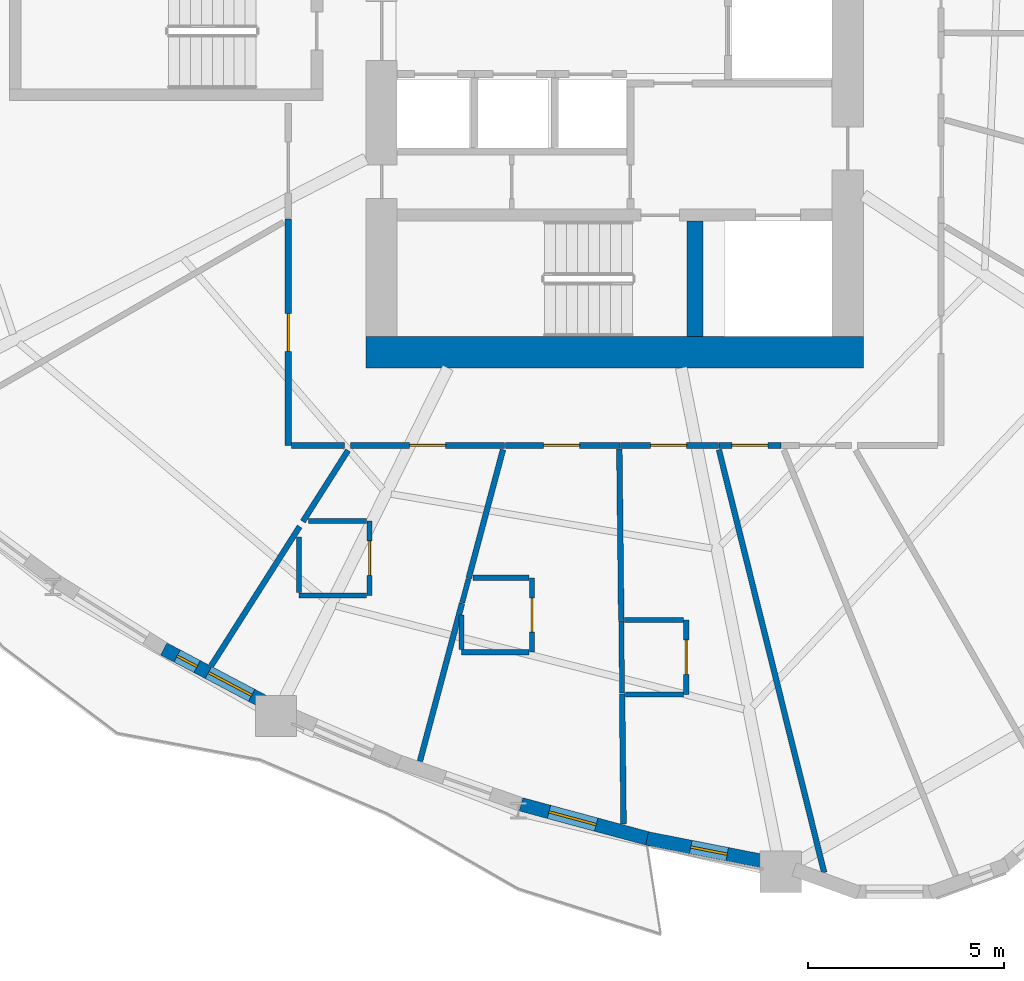
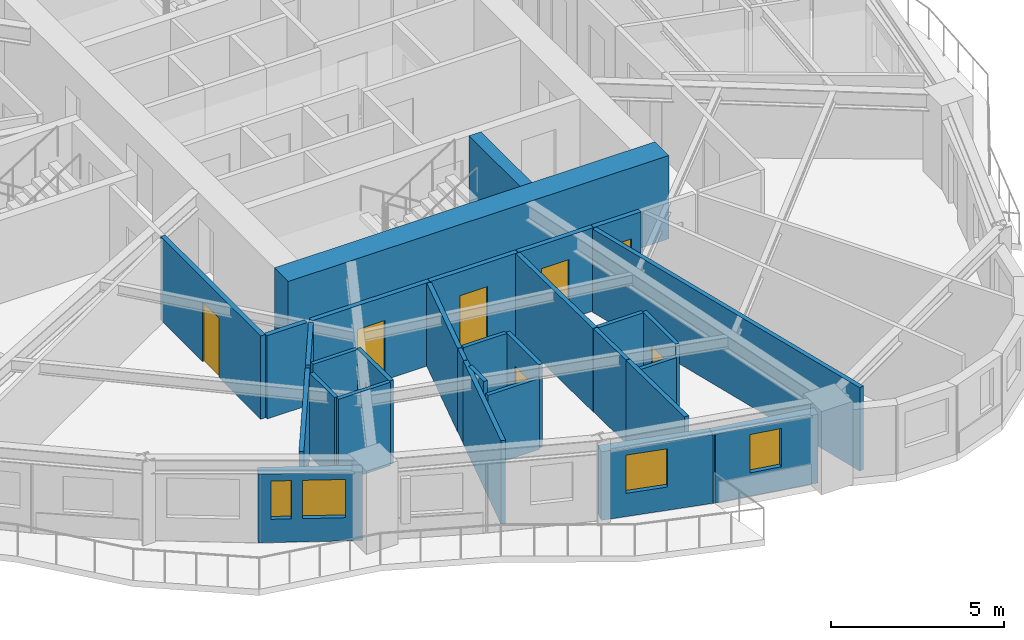
# One storey, part 3 of 13: 31 walls, 8 doors, 4 windows, 12 openings.
"""IFC4 building model written with IfcOpenShell, lengths in metres."""

import ifcopenshell
import ifcopenshell.guid

model = None  # the IFC model being written
_history = None  # IfcOwnerHistory: only IFC2X3 demands one
_inside = {}  # id of a spatial element -> (the spatial element, [elements in it])
_under = {}  # id of a project, library or spatial element -> (it, [spatial elements below it])
_declared = {}  # id of a project -> (the project, [libraries it declares])
_typed = {}  # id of a type object -> (the type object, [elements of that type])
_made_of = {}  # id of a material, layer set ... -> (it, [elements and type objects made of it])


def new_model(schema):
    """Start an empty IFC model of exactly this schema.

    Asked for "IFC4X3", IfcOpenShell would pick the latest addendum, in which some entities
    have other attributes; the version numbers below select the first issue.
    IFC2X3 requires an IfcOwnerHistory on every rooted entity: one is made here for all.
    """
    global model, _history
    if schema == "IFC4X3":
        model = ifcopenshell.file(schema_version=(4, 3, 0, 0))
    else:
        model = ifcopenshell.file(schema=schema)
    _inside.clear()
    _under.clear()
    _declared.clear()
    _typed.clear()
    _made_of.clear()
    _history = None
    if model.schema == "IFC2X3":
        org = make("IfcOrganization", Name="unknown")
        user = make(
            "IfcPersonAndOrganization",
            ThePerson=make("IfcPerson", FamilyName="unknown"),
            TheOrganization=org,
        )
        app = make(
            "IfcApplication",
            ApplicationDeveloper=org,
            Version="unknown",
            ApplicationFullName="unknown",
            ApplicationIdentifier="unknown",
        )
        _history = make(
            "IfcOwnerHistory",
            OwningUser=user,
            OwningApplication=app,
            ChangeAction="ADDED",
            CreationDate=0,
        )
    return model


def make(cls, **values):
    """One entity of the class cls with the attributes given. An attribute that is None is left unset."""
    return model.create_entity(
        cls, **{name: value for name, value in values.items() if value is not None}
    )


def rooted(cls, **values):
    """An entity with a GlobalId (a new one), such as an element, a storey or a relation."""
    return make(cls, GlobalId=ifcopenshell.guid.new(), OwnerHistory=_history, **values)


def si_unit(unit_type, name, prefix=None):
    """IfcSIUnit, for example si_unit("LENGTHUNIT", "METRE", prefix="MILLI")."""
    return make("IfcSIUnit", UnitType=unit_type, Prefix=prefix, Name=name)


def assignment(units):
    """IfcUnitAssignment: the units of a project."""
    return None if units is None else make("IfcUnitAssignment", Units=units)


def point(xyz):
    """IfcCartesianPoint."""
    return None if xyz is None else make("IfcCartesianPoint", Coordinates=xyz)


def direction(xyz):
    """IfcDirection."""
    return None if xyz is None else make("IfcDirection", DirectionRatios=xyz)


def frame(location, z_axis=None, x_axis=None):
    """IfcAxis2Placement3D, a coordinate frame: its origin and axes. An axis left out is left unset."""
    return make(
        "IfcAxis2Placement3D",
        Location=point(location),
        Axis=direction(z_axis),
        RefDirection=direction(x_axis),
    )


def frame_2d(location, x_axis=None):
    """IfcAxis2Placement2D, a coordinate frame in the plane: its origin and x axis."""
    return make(
        "IfcAxis2Placement2D", Location=point(location), RefDirection=direction(x_axis)
    )


def origin():
    """The frame at (0, 0, 0) with its axes left unset."""
    return frame((0.0, 0.0, 0.0))


def place(relative_to, where):
    """IfcLocalPlacement: puts the frame where relative to a parent placement (None: the world)."""
    return make(
        "IfcLocalPlacement", PlacementRelTo=relative_to, RelativePlacement=where
    )


def context(
    kind, dimensions, precision=None, world=None, true_north=None, identifier=None
):
    """IfcGeometricRepresentationContext, for example the 3D "Model" context."""
    return make(
        "IfcGeometricRepresentationContext",
        ContextIdentifier=identifier,
        ContextType=kind,
        CoordinateSpaceDimension=dimensions,
        Precision=precision,
        WorldCoordinateSystem=world,
        TrueNorth=true_north,
    )


def subcontext(parent, identifier, kind, view, scale=None):
    """IfcGeometricRepresentationSubContext, for example "Body" below "Model"."""
    return make(
        "IfcGeometricRepresentationSubContext",
        ContextIdentifier=identifier,
        ContextType=kind,
        ParentContext=parent,
        TargetScale=scale,
        TargetView=view,
    )


def project(units=None, contexts=None):
    """IfcProject with its units and contexts."""
    return rooted(
        "IfcProject",
        Name="project",
        RepresentationContexts=contexts,
        UnitsInContext=assignment(units),
    )


def spatial(cls, under=None, at=None, **own):
    """A site, building, storey or space (cls), placed at a placement, below another one or the project."""
    s = rooted(cls, ObjectPlacement=at, **own)
    if under is not None:
        _under.setdefault(under.id(), (under, []))[1].append(s)
    return s


def profile(cls, at=None, kind="AREA", **sizes):
    """A parametric profile (cls). Its sizes go by their IFC names, for example OverallWidth=200.0."""
    return make(cls, ProfileType=kind, Position=at, **sizes)


def rectangle(**sizes):
    """IfcRectangleProfileDef."""
    return profile("IfcRectangleProfileDef", **sizes)


def extrude(swept, where, along, depth):
    """IfcExtrudedAreaSolid: the profile swept, set in the frame where, extruded along a direction by depth."""
    return make(
        "IfcExtrudedAreaSolid",
        SweptArea=swept,
        Position=where,
        ExtrudedDirection=direction(along),
        Depth=depth,
    )


def shape(context_of_items, identifier, shape_type, items):
    """IfcShapeRepresentation: the items that make up one representation, for example the "Body"."""
    return make(
        "IfcShapeRepresentation",
        ContextOfItems=context_of_items,
        RepresentationIdentifier=identifier,
        RepresentationType=shape_type,
        Items=items,
    )


def source(mapping_origin, context_of_items, identifier, shape_type, items):
    """IfcRepresentationMap: a shape defined once, which mapped items show again and again."""
    return make(
        "IfcRepresentationMap",
        MappingOrigin=mapping_origin,
        MappedRepresentation=shape(context_of_items, identifier, shape_type, items),
    )


def transform(
    local_origin,
    x_axis=None,
    y_axis=None,
    z_axis=None,
    scale=None,
    scale2=None,
    scale3=None,
    uniform=True,
):
    """IfcCartesianTransformationOperator3D, or its non-uniform kind. x_axis, y_axis, z_axis: its Axis1, 2, 3."""
    if uniform:
        return make(
            "IfcCartesianTransformationOperator3D",
            Axis1=direction(x_axis),
            Axis2=direction(y_axis),
            LocalOrigin=point(local_origin),
            Scale=scale,
            Axis3=direction(z_axis),
        )
    return make(
        "IfcCartesianTransformationOperator3DnonUniform",
        Axis1=direction(x_axis),
        Axis2=direction(y_axis),
        LocalOrigin=point(local_origin),
        Scale=scale,
        Axis3=direction(z_axis),
        Scale2=scale2,
        Scale3=scale3,
    )


def mapped(mapping_source, mapping_target):
    """IfcMappedItem: shows the shape of a source again, moved by a transform."""
    return make(
        "IfcMappedItem", MappingSource=mapping_source, MappingTarget=mapping_target
    )


def material(Name=None, Category=None):
    """IfcMaterial."""
    return make("IfcMaterial", Name=Name, Category=Category)


def layer(
    of_material, thickness, ventilated=None, Name=None, Category=None, Priority=None
):
    """IfcMaterialLayer: one layer of a wall or slab, of a material (None: an air gap)."""
    return make(
        "IfcMaterialLayer",
        Material=of_material,
        LayerThickness=thickness,
        IsVentilated=ventilated,
        Name=Name,
        Category=Category,
        Priority=Priority,
    )


def layer_set(layers, Name=None):
    """IfcMaterialLayerSet."""
    return make("IfcMaterialLayerSet", MaterialLayers=layers, LayerSetName=Name)


def made_of(thing, what):
    """Note that an element or type object is made of a material, layer set ...; save() writes the relation."""
    if what is not None:
        _made_of.setdefault(what.id(), (what, []))[1].append(thing)
    return thing


def type_object(cls, material=None, **own):
    """A type object (cls), such as IfcWallType, which elements share."""
    return made_of(rooted(cls, **own), material)


def element(
    cls,
    number,
    at=None,
    inside=None,
    cuts=None,
    type_object=None,
    material=None,
    context=None,
    identifier="Body",
    shape_type=None,
    held_by="IfcProductDefinitionShape",
    body=None,
    shapes=None,
    **own,
):
    """One element of the class cls, such as IfcWall. Its Tag is "e" and its number.

    at: its placement. inside: the storey or other place that contains it. cuts: it is an
    opening in that element (IfcRelVoidsElement). A single representation is given by context,
    identifier, shape_type and body (its items); several are given by shapes. held_by: the class
    of the entity that holds the representations. save() writes the other relations.
    """
    e = rooted(cls, Tag="e%d" % number, ObjectPlacement=at, **own)
    if body is not None:
        shapes = [shape(context, identifier, shape_type, body)]
    if shapes is not None:
        e.Representation = make(held_by, Representations=shapes)
    if inside is not None:
        _inside.setdefault(inside.id(), (inside, []))[1].append(e)
    if cuts is not None:
        rooted(
            "IfcRelVoidsElement", RelatingBuildingElement=cuts, RelatedOpeningElement=e
        )
    if type_object is not None:
        _typed.setdefault(type_object.id(), (type_object, []))[1].append(e)
    return made_of(e, material)


def fill(opening, filler):
    """IfcRelFillsElement: the door or window that sits in an opening."""
    return rooted(
        "IfcRelFillsElement",
        RelatingOpeningElement=opening,
        RelatedBuildingElement=filler,
    )


def aggregate(whole, parts):
    """IfcRelAggregates: a whole, such as a stair, and the parts it consists of."""
    return rooted("IfcRelAggregates", RelatingObject=whole, RelatedObjects=parts)


def save(model, path):
    """Write the relations noted so far, then the file.

    IfcRelAggregates (storeys below a building ...), IfcRelContainedInSpatialStructure (elements
    in a storey), IfcRelDefinesByType, IfcRelAssociatesMaterial and IfcRelDeclares: one each for
    every whole, place, type object, material and project.
    """
    for whole, parts in _under.values():
        aggregate(whole, parts)
    for where, things in _inside.values():
        rooted(
            "IfcRelContainedInSpatialStructure",
            RelatedElements=things,
            RelatingStructure=where,
        )
    for kind, things in _typed.values():
        rooted("IfcRelDefinesByType", RelatedObjects=things, RelatingType=kind)
    for what, things in _made_of.values():
        rooted("IfcRelAssociatesMaterial", RelatedObjects=things, RelatingMaterial=what)
    for by, libraries in _declared.values():
        rooted("IfcRelDeclares", RelatingContext=by, RelatedDefinitions=libraries)
    model.write(path)


model = new_model("IFC4")

# Units and contexts
model_context = context("Model", 3, precision=1e-05, world=origin(), true_north=direction((0.0, 1.0)))
body_context = subcontext(model_context, "Body", "Model", "MODEL_VIEW")
ifc_project = project(units=[si_unit("LENGTHUNIT", "METRE"), si_unit("AREAUNIT", "SQUARE_METRE"), si_unit("VOLUMEUNIT", "CUBIC_METRE"), si_unit("PLANEANGLEUNIT", "RADIAN"), si_unit("MASSUNIT", "GRAM", prefix="KILO")], contexts=[model_context])

# Site, building, storey
site_placement = place(None, origin())
site = spatial("IfcSite", under=ifc_project, at=site_placement, CompositionType="ELEMENT")
building_placement = place(site_placement, origin())
building = spatial("IfcBuilding", under=site, at=building_placement, Name="Qafzar Sky-Pleat Residences", CompositionType="ELEMENT")
storey_placement = place(building_placement, frame((0.0, 0.0, 49.39990234375)))
storey = spatial("IfcBuildingStorey", under=building, at=storey_placement, Name="L14", CompositionType="ELEMENT", Elevation=49.39990234375)

# Wall, opening, door
ifc_material_1 = material(Name="Acoustic gypsum plasterboard partition", Category="gypsum")
ifc_layer_1 = layer(ifc_material_1, 0.159912109375)
ifc_layer_set_1 = layer_set([ifc_layer_1], Name="Acoustic gypsum plasterboard partition")
wall_type_1 = type_object("IfcWallType", Name="PART-COR-160", PredefinedType="PARTITIONING", material=ifc_layer_set_1)
wall_1_placement = place(storey_placement, frame((22.02001953125, 15.419921875, 0.0), z_axis=(0.0, 0.0, 1.0), x_axis=(0.0, 1.0, 0.0)))
wall_1 = element("IfcWall", 1, at=wall_1_placement, inside=storey, type_object=wall_type_1, Name="L14 Partition Wall PART-L14-PW-002", PredefinedType="PARTITIONING", context=body_context, shape_type="SweptSolid", body=[
    extrude(rectangle(XDim=5.7861328125, YDim=0.159912109375, at=frame_2d((2.89306640625, 0.0))), origin(), (0.0, 0.0, 1.0), 2.940185546875),
])
opening_1_placement = place(wall_1_placement, frame((2.404541015625, 0.0, 0.0)))
opening_1 = element("IfcOpeningElement", 2, at=opening_1_placement, cuts=wall_1, Name="Opening ID-06", PredefinedType="OPENING", context=body_context, shape_type="SweptSolid", body=[
    extrude(rectangle(XDim=0.9599609375, YDim=2.10009765625, at=frame_2d((0.47998046875, 1.050048828125))), frame((0.0, 0.08984375, 0.0), z_axis=(0.0, -1.0, 0.0), x_axis=(1.0, 0.0, 0.0)), (0.0, 0.0, 1.0), 0.179931640625),
])
ifc_material_2 = material(Name="Timber-faced fire door", Category="wood")
door_type_1 = type_object("IfcDoorType", Name="DR-STD-960", OperationType="NOTDEFINED", PredefinedType="DOOR", material=ifc_material_2)
shared_shape_1 = source(origin(), body_context, "Body", "SweptSolid", [
    extrude(rectangle(XDim=0.9599609375, YDim=2.10009765625, at=frame_2d((0.47998046875, 1.050048828125))), frame((0.0, 0.02490234375, 0.0), z_axis=(0.0, -1.0, 0.0), x_axis=(1.0, 0.0, 0.0)), (0.0, 0.0, 1.0), 0.050048828125),
])
door_1_placement = place(opening_1_placement, origin())
door_1 = element("IfcDoor", 3, at=door_1_placement, inside=storey, type_object=door_type_1, Name="L14 Scholar Co-Working Workspace Door", OperationType="SINGLE_SWING_LEFT", OverallHeight=2.10009765625, OverallWidth=0.9599609375, PredefinedType="DOOR", context=body_context, shape_type="MappedRepresentation", body=[
    mapped(shared_shape_1, transform((0.0, 0.0, 0.0), x_axis=(1.0, 0.0, 0.0), y_axis=(0.0, 1.0, 0.0), z_axis=(0.0, 0.0, 1.0), scale=1.0)),
])
fill(opening_1, door_1)

wall_2_placement = place(storey_placement, frame((27.5439453125, 15.419921875, 0.0), z_axis=(0.0, 0.0, 1.0), x_axis=(-1.0, 0.0, 0.0)))
wall_2 = element("IfcWall", 4, at=wall_2_placement, inside=storey, type_object=wall_type_1, Name="L14 Partition Wall PART-L14-PW-006", PredefinedType="PARTITIONING", context=body_context, shape_type="SweptSolid", body=[
    extrude(rectangle(XDim=3.93603515625, YDim=0.159912109375, at=frame_2d((1.968017578125, 0.0))), origin(), (0.0, 0.0, 1.0), 2.940185546875),
])
opening_2_placement = place(wall_2_placement, frame((1.507080078125, 0.0, 0.0)))
opening_2 = element("IfcOpeningElement", 5, at=opening_2_placement, cuts=wall_2, Name="Opening ID-04", PredefinedType="OPENING", context=body_context, shape_type="SweptSolid", body=[
    extrude(rectangle(XDim=0.919921875, YDim=2.10009765625, at=frame_2d((0.4599609375, 1.050048828125))), frame((0.0, 0.08984375, 0.0), z_axis=(0.0, -1.0, 0.0), x_axis=(1.0, 0.0, 0.0)), (0.0, 0.0, 1.0), 0.179931640625),
])
door_type_2 = type_object("IfcDoorType", Name="DR-BED-920", OperationType="NOTDEFINED", PredefinedType="DOOR", material=ifc_material_2)
shared_shape_2 = source(origin(), body_context, "Body", "SweptSolid", [
    extrude(rectangle(XDim=0.919921875, YDim=2.10009765625, at=frame_2d((0.4599609375, 1.050048828125))), frame((0.0, 0.02490234375, 0.0), z_axis=(0.0, -1.0, 0.0), x_axis=(1.0, 0.0, 0.0)), (0.0, 0.0, 1.0), 0.050048828125),
])
door_2_placement = place(opening_2_placement, origin())
door_2 = element("IfcDoor", 6, at=door_2_placement, inside=storey, type_object=door_type_2, Name="L14 Co-Living Bedroom 10 Door", OperationType="SINGLE_SWING_RIGHT", OverallHeight=2.10009765625, OverallWidth=0.919921875, PredefinedType="DOOR", context=body_context, shape_type="MappedRepresentation", body=[
    mapped(shared_shape_2, transform((0.0, 0.0, 0.0), x_axis=(1.0, 0.0, 0.0), y_axis=(0.0, 1.0, 0.0), z_axis=(0.0, 0.0, 1.0), scale=1.0)),
])
fill(opening_2, door_2)

wall_3_placement = place(storey_placement, frame((30.48388671875, 15.419921875, 0.0), z_axis=(0.0, 0.0, 1.0), x_axis=(-1.0, 0.0, 0.0)))
wall_3 = element("IfcWall", 7, at=wall_3_placement, inside=storey, type_object=wall_type_1, Name="L14 Partition Wall PART-L14-PW-010", PredefinedType="PARTITIONING", context=body_context, shape_type="SweptSolid", body=[
    extrude(rectangle(XDim=2.9248046875, YDim=0.159912109375, at=frame_2d((1.46240234375, 0.0))), origin(), (0.0, 0.0, 1.0), 2.940185546875),
])
opening_3_placement = place(wall_3_placement, frame((1.02490234375, 0.0, 0.0)))
opening_3 = element("IfcOpeningElement", 8, at=opening_3_placement, cuts=wall_3, Name="Opening ID-04", PredefinedType="OPENING", context=body_context, shape_type="SweptSolid", body=[
    extrude(rectangle(XDim=0.919921875, YDim=2.10009765625, at=frame_2d((0.4599609375, 1.050048828125))), frame((0.0, 0.08984375, 0.0), z_axis=(0.0, -1.0, 0.0), x_axis=(1.0, 0.0, 0.0)), (0.0, 0.0, 1.0), 0.179931640625),
])
door_3_placement = place(opening_3_placement, origin())
door_3 = element("IfcDoor", 9, at=door_3_placement, inside=storey, type_object=door_type_2, Name="L14 Co-Living Bedroom 11 Door", OperationType="SINGLE_SWING_LEFT", OverallHeight=2.10009765625, OverallWidth=0.919921875, PredefinedType="DOOR", context=body_context, shape_type="MappedRepresentation", body=[
    mapped(shared_shape_2, transform((0.0, 0.0, 0.0), x_axis=(1.0, 0.0, 0.0), y_axis=(0.0, 1.0, 0.0), z_axis=(0.0, 0.0, 1.0), scale=1.0)),
])
fill(opening_3, door_3)

wall_4_placement = place(storey_placement, frame((33.0, 15.419921875, 0.0), z_axis=(0.0, 0.0, 1.0), x_axis=(-1.0, 0.0, 0.0)))
wall_4 = element("IfcWall", 10, at=wall_4_placement, inside=storey, type_object=wall_type_1, Name="L14 Partition Wall PART-L14-PW-012", PredefinedType="PARTITIONING", context=body_context, shape_type="SweptSolid", body=[
    extrude(rectangle(XDim=2.5009765625, YDim=0.159912109375, at=frame_2d((1.25048828125, 0.0))), origin(), (0.0, 0.0, 1.0), 2.940185546875),
])
opening_4_placement = place(wall_4_placement, frame((0.81298828125, 0.0, 0.0)))
opening_4 = element("IfcOpeningElement", 11, at=opening_4_placement, cuts=wall_4, Name="Opening ID-04", PredefinedType="OPENING", context=body_context, shape_type="SweptSolid", body=[
    extrude(rectangle(XDim=0.919921875, YDim=2.10009765625, at=frame_2d((0.4599609375, 1.050048828125))), frame((0.0, 0.08984375, 0.0), z_axis=(0.0, -1.0, 0.0), x_axis=(1.0, 0.0, 0.0)), (0.0, 0.0, 1.0), 0.179931640625),
])
door_4_placement = place(opening_4_placement, origin())
door_4 = element("IfcDoor", 12, at=door_4_placement, inside=storey, type_object=door_type_2, Name="L14 Co-Living Bedroom 12 Door", OperationType="SINGLE_SWING_RIGHT", OverallHeight=2.10009765625, OverallWidth=0.919921875, PredefinedType="DOOR", context=body_context, shape_type="MappedRepresentation", body=[
    mapped(shared_shape_2, transform((0.0, 0.0, 0.0), x_axis=(1.0, 0.0, 0.0), y_axis=(0.0, 1.0, 0.0), z_axis=(0.0, 0.0, 1.0), scale=1.0)),
])
fill(opening_4, door_4)

wall_5_placement = place(storey_placement, frame((34.591064453125, 15.419921875, 0.0), z_axis=(0.0, 0.0, 1.0), x_axis=(-1.0, 0.0, 0.0)))
wall_5 = element("IfcWall", 13, at=wall_5_placement, inside=storey, type_object=wall_type_1, Name="L14 Partition Wall PART-L14-PW-027", PredefinedType="PARTITIONING", context=body_context, shape_type="SweptSolid", body=[
    extrude(rectangle(XDim=1.576171875, YDim=0.159912109375, at=frame_2d((0.7880859375, 0.0))), origin(), (0.0, 0.0, 1.0), 2.940185546875),
])
opening_5_placement = place(wall_5_placement, frame((0.326904296875, 0.0, 0.0)))
opening_5 = element("IfcOpeningElement", 14, at=opening_5_placement, cuts=wall_5, Name="Opening ID-04", PredefinedType="OPENING", context=body_context, shape_type="SweptSolid", body=[
    extrude(rectangle(XDim=0.919921875, YDim=2.10009765625, at=frame_2d((0.4599609375, 1.050048828125))), frame((0.0, 0.08984375, 0.0), z_axis=(0.0, -1.0, 0.0), x_axis=(1.0, 0.0, 0.0)), (0.0, 0.0, 1.0), 0.179931640625),
])
door_5_placement = place(opening_5_placement, origin())
door_5 = element("IfcDoor", 15, at=door_5_placement, inside=storey, type_object=door_type_2, Name="L14 Co-Living Bedroom 1 Door", OperationType="SINGLE_SWING_LEFT", OverallHeight=2.10009765625, OverallWidth=0.919921875, PredefinedType="DOOR", context=body_context, shape_type="MappedRepresentation", body=[
    mapped(shared_shape_2, transform((0.0, 0.0, 0.0), x_axis=(1.0, 0.0, 0.0), y_axis=(0.0, 1.0, 0.0), z_axis=(0.0, 0.0, 1.0), scale=1.0)),
])
fill(opening_5, door_5)

# Walls
wall_6_placement = place(storey_placement, frame((22.10791015625, 15.419921875, 0.0), z_axis=(0.0, 0.0, 1.0), x_axis=(1.0, 0.0, 0.0)))
element("IfcWall", 16, at=wall_6_placement, inside=storey, type_object=wall_type_1, Name="L14 Partition Wall PART-L14-PW-076", PredefinedType="PARTITIONING", context=body_context, shape_type="SweptSolid", body=[
    extrude(rectangle(XDim=1.34033203125, YDim=0.159912109375, at=frame_2d((0.670166015625, 0.0))), origin(), (0.0, 0.0, 1.0), 2.940185546875),
])
ifc_layer_2 = layer(ifc_material_1, 0.14501953125)
ifc_layer_set_2 = layer_set([ifc_layer_2], Name="Acoustic gypsum plasterboard partition")
wall_type_2 = type_object("IfcWallType", Name="PART-UNIT-145", PredefinedType="PARTITIONING", material=ifc_layer_set_2)
wall_7_placement = place(storey_placement, frame((33.01123046875, 15.314697265625, 0.0), z_axis=(0.0, 0.0, 1.0), x_axis=(0.241616400535, -0.970371843673, 0.0)))
element("IfcWall", 17, at=wall_7_placement, inside=storey, type_object=wall_type_2, Name="L14 Partition Wall PART-L14-PW-035", PredefinedType="PARTITIONING", context=body_context, shape_type="SweptSolid", body=[
    extrude(rectangle(XDim=11.125, YDim=0.14501953125, at=frame_2d((5.5625, 0.0))), origin(), (0.0, 0.0, 1.0), 2.940185546875),
])
wall_8_placement = place(storey_placement, frame((30.469970703125, 15.331298828125, 0.0), z_axis=(0.0, 0.0, 1.0), x_axis=(0.011204559183, -0.999937226957, 0.0)))
element("IfcWall", 18, at=wall_8_placement, inside=storey, type_object=wall_type_2, Name="L14 Partition Wall PART-L14-PW-044", PredefinedType="PARTITIONING", context=body_context, shape_type="SweptSolid", body=[
    extrude(rectangle(XDim=4.379638671875, YDim=0.14501953125, at=frame_2d((2.18994140625, 0.0))), origin(), (0.0, 0.0, 1.0), 2.940185546875),
])
wall_9_placement = place(storey_placement, frame((20.0537109375, 9.800048828125, 0.0), z_axis=(0.0, 0.0, 1.0), x_axis=(0.536345686693, 0.843998403059, 0.0)))
element("IfcWall", 19, at=wall_9_placement, inside=storey, type_object=wall_type_2, Name="L14 Partition Wall PART-L14-PW-045", PredefinedType="PARTITIONING", context=body_context, shape_type="SweptSolid", body=[
    extrude(rectangle(XDim=4.205078125, YDim=0.14501953125, at=frame_2d((2.1025390625, 0.0))), origin(), (0.0, 0.0, 1.0), 2.940185546875),
])
wall_10_placement = place(storey_placement, frame((25.3798828125, 7.359619140625, 0.0), z_axis=(0.0, 0.0, 1.0), x_axis=(0.257575283531, 0.966258233245, 0.0)))
element("IfcWall", 20, at=wall_10_placement, inside=storey, type_object=wall_type_2, Name="L14 Partition Wall PART-L14-PW-046", PredefinedType="PARTITIONING", context=body_context, shape_type="SweptSolid", body=[
    extrude(rectangle(XDim=4.17431640625, YDim=0.14501953125, at=frame_2d((2.087158203125, 0.0))), origin(), (0.0, 0.0, 1.0), 2.940185546875),
])
wall_11_placement = place(storey_placement, frame((26.6240234375, 12.028076171875, 0.0), z_axis=(0.0, 0.0, 1.0), x_axis=(0.257743083598, 0.966213487205, 0.0)))
element("IfcWall", 21, at=wall_11_placement, inside=storey, type_object=wall_type_2, Name="L14 Partition Wall PART-L14-PW-049", PredefinedType="PARTITIONING", context=body_context, shape_type="SweptSolid", body=[
    extrude(rectangle(XDim=3.400634765625, YDim=0.14501953125, at=frame_2d((1.7001953125, 0.0))), origin(), (0.0, 0.0, 1.0), 2.940185546875),
])
wall_12_placement = place(storey_placement, frame((30.5400390625, 9.08203125, 0.0), z_axis=(0.0, 0.0, 1.0), x_axis=(0.011329467055, -0.999935819529, 0.0)))
element("IfcWall", 22, at=wall_12_placement, inside=storey, type_object=wall_type_2, Name="L14 Partition Wall PART-L14-PW-052", PredefinedType="PARTITIONING", context=body_context, shape_type="SweptSolid", body=[
    extrude(rectangle(XDim=3.318603515625, YDim=0.14501953125, at=frame_2d((1.6591796875, 0.0))), origin(), (0.0, 0.0, 1.0), 2.940185546875),
])
wall_13_placement = place(storey_placement, frame((22.39208984375, 13.47900390625, 0.0), z_axis=(0.0, 0.0, 1.0), x_axis=(0.53614810629, 0.844123929362, 0.0)))
element("IfcWall", 23, at=wall_13_placement, inside=storey, type_object=wall_type_2, Name="L14 Partition Wall PART-L14-PW-055", PredefinedType="PARTITIONING", context=body_context, shape_type="SweptSolid", body=[
    extrude(rectangle(XDim=2.150634765625, YDim=0.14501953125, at=frame_2d((1.0751953125, 0.0))), origin(), (0.0, 0.0, 1.0), 2.940185546875),
])

# Wall, opening, door
ifc_material_3 = material(Name="Moisture-resistant gypsum partition", Category="gypsum")
ifc_layer_3 = layer(ifc_material_3, 0.1298828125)
ifc_layer_set_3 = layer_set([ifc_layer_3], Name="Moisture-resistant gypsum partition")
wall_type_3 = type_object("IfcWallType", Name="PART-WET-130", PredefinedType="PARTITIONING", material=ifc_layer_set_3)
wall_14_placement = place(storey_placement, frame((24.093994140625, 11.593994140625, 0.0), z_axis=(0.0, 0.0, 1.0), x_axis=(0.0, 1.0, 0.0)))
wall_14 = element("IfcWall", 24, at=wall_14_placement, inside=storey, type_object=wall_type_3, Name="L14 Partition Wall PART-L14-PW-016", PredefinedType="PARTITIONING", context=body_context, shape_type="SweptSolid", body=[
    extrude(rectangle(XDim=1.89990234375, YDim=0.1298828125, at=frame_2d((0.949951171875, 0.0))), origin(), (0.0, 0.0, 1.0), 2.940185546875),
])
opening_6_placement = place(wall_14_placement, frame((0.510009765625, 0.0, 0.0)))
opening_6 = element("IfcOpeningElement", 25, at=opening_6_placement, cuts=wall_14, Name="Opening ID-07", PredefinedType="OPENING", context=body_context, shape_type="SweptSolid", body=[
    extrude(rectangle(XDim=0.8798828125, YDim=2.050048828125, at=frame_2d((0.43994140625, 1.02490234375))), frame((0.0, 0.074951171875, 0.0), z_axis=(0.0, -1.0, 0.0), x_axis=(1.0, 0.0, 0.0)), (0.0, 0.0, 1.0), 0.14990234375),
])
door_type_3 = type_object("IfcDoorType", Name="DR-WET-880", OperationType="NOTDEFINED", PredefinedType="DOOR", material=ifc_material_2)
shared_shape_3 = source(origin(), body_context, "Body", "SweptSolid", [
    extrude(rectangle(XDim=0.8798828125, YDim=2.050048828125, at=frame_2d((0.43994140625, 1.02490234375))), frame((0.0, 0.02490234375, 0.0), z_axis=(0.0, -1.0, 0.0), x_axis=(1.0, 0.0, 0.0)), (0.0, 0.0, 1.0), 0.050048828125),
])
door_6_placement = place(opening_6_placement, origin())
door_6 = element("IfcDoor", 26, at=door_6_placement, inside=storey, type_object=door_type_3, Name="L14 En-suite Bathroom 10 Door", OperationType="SINGLE_SWING_RIGHT", OverallHeight=2.050048828125, OverallWidth=0.8798828125, PredefinedType="DOOR", context=body_context, shape_type="MappedRepresentation", body=[
    mapped(shared_shape_3, transform((0.0, 0.0, 0.0), x_axis=(1.0, 0.0, 0.0), y_axis=(0.0, 1.0, 0.0), z_axis=(0.0, 0.0, 1.0), scale=1.0)),
])
fill(opening_6, door_6)

wall_15_placement = place(storey_placement, frame((32.177001953125, 9.06689453125, 0.0), z_axis=(0.0, 0.0, 1.0), x_axis=(0.0, 1.0, 0.0)))
wall_15 = element("IfcWall", 27, at=wall_15_placement, inside=storey, type_object=wall_type_3, Name="L14 Partition Wall PART-L14-PW-017", PredefinedType="PARTITIONING", context=body_context, shape_type="SweptSolid", body=[
    extrude(rectangle(XDim=1.900146484375, YDim=0.1298828125, at=frame_2d((0.9501953125, 0.0))), origin(), (0.0, 0.0, 1.0), 2.940185546875),
])
opening_7_placement = place(wall_15_placement, frame((0.510009765625, 0.0, 0.0)))
opening_7 = element("IfcOpeningElement", 28, at=opening_7_placement, cuts=wall_15, Name="Opening ID-07", PredefinedType="OPENING", context=body_context, shape_type="SweptSolid", body=[
    extrude(rectangle(XDim=0.8798828125, YDim=2.050048828125, at=frame_2d((0.43994140625, 1.02490234375))), frame((0.0, 0.074951171875, 0.0), z_axis=(0.0, -1.0, 0.0), x_axis=(1.0, 0.0, 0.0)), (0.0, 0.0, 1.0), 0.14990234375),
])
door_7_placement = place(opening_7_placement, origin())
door_7 = element("IfcDoor", 29, at=door_7_placement, inside=storey, type_object=door_type_3, Name="L14 En-suite Bathroom 12 Door", OperationType="SINGLE_SWING_LEFT", OverallHeight=2.050048828125, OverallWidth=0.8798828125, PredefinedType="DOOR", context=body_context, shape_type="MappedRepresentation", body=[
    mapped(shared_shape_3, transform((0.0, 0.0, 0.0), x_axis=(1.0, 0.0, 0.0), y_axis=(0.0, 1.0, 0.0), z_axis=(0.0, 0.0, 1.0), scale=1.0)),
])
fill(opening_7, door_7)

wall_16_placement = place(storey_placement, frame((28.239990234375, 10.14306640625, 0.0), z_axis=(0.0, 0.0, 1.0), x_axis=(0.0, 1.0, 0.0)))
wall_16 = element("IfcWall", 30, at=wall_16_placement, inside=storey, type_object=wall_type_3, Name="L14 Partition Wall PART-L14-PW-021", PredefinedType="PARTITIONING", context=body_context, shape_type="SweptSolid", body=[
    extrude(rectangle(XDim=1.89990234375, YDim=0.1298828125, at=frame_2d((0.949951171875, 0.0))), origin(), (0.0, 0.0, 1.0), 2.940185546875),
])
opening_8_placement = place(wall_16_placement, frame((0.510009765625, 0.0, 0.0)))
opening_8 = element("IfcOpeningElement", 31, at=opening_8_placement, cuts=wall_16, Name="Opening ID-07", PredefinedType="OPENING", context=body_context, shape_type="SweptSolid", body=[
    extrude(rectangle(XDim=0.8798828125, YDim=2.050048828125, at=frame_2d((0.43994140625, 1.02490234375))), frame((0.0, 0.074951171875, 0.0), z_axis=(0.0, -1.0, 0.0), x_axis=(1.0, 0.0, 0.0)), (0.0, 0.0, 1.0), 0.14990234375),
])
door_8_placement = place(opening_8_placement, origin())
door_8 = element("IfcDoor", 32, at=door_8_placement, inside=storey, type_object=door_type_3, Name="L14 En-suite Bathroom 11 Door", OperationType="SINGLE_SWING_LEFT", OverallHeight=2.050048828125, OverallWidth=0.8798828125, PredefinedType="DOOR", context=body_context, shape_type="MappedRepresentation", body=[
    mapped(shared_shape_3, transform((0.0, 0.0, 0.0), x_axis=(1.0, 0.0, 0.0), y_axis=(0.0, 1.0, 0.0), z_axis=(0.0, 0.0, 1.0), scale=1.0)),
])
fill(opening_8, door_8)

# Walls
wall_17_placement = place(storey_placement, frame((30.51953125, 10.93701171875, 0.0), z_axis=(0.0, 0.0, 1.0), x_axis=(0.010879016503, -0.999940821749, 0.0)))
element("IfcWall", 33, at=wall_17_placement, inside=storey, type_object=wall_type_3, Name="L14 Partition Wall PART-L14-PW-061", PredefinedType="PARTITIONING", context=body_context, shape_type="SweptSolid", body=[
    extrude(rectangle(XDim=1.840087890625, YDim=0.1298828125, at=frame_2d((0.919921875, 0.0))), origin(), (0.0, 0.0, 1.0), 2.940185546875),
])
wall_18_placement = place(storey_placement, frame((22.2939453125, 11.593994140625, 0.0), z_axis=(0.0, 0.0, 1.0), x_axis=(1.0, 0.0, 0.0)))
element("IfcWall", 34, at=wall_18_placement, inside=storey, type_object=wall_type_3, Name="L14 Partition Wall PART-L14-PW-065", PredefinedType="PARTITIONING", context=body_context, shape_type="SweptSolid", body=[
    extrude(rectangle(XDim=1.72705078125, YDim=0.1298828125, at=frame_2d((0.863525390625, 0.0))), origin(), (0.0, 0.0, 1.0), 2.940185546875),
])
wall_19_placement = place(storey_placement, frame((26.43994140625, 10.14306640625, 0.0), z_axis=(0.0, 0.0, 1.0), x_axis=(1.0, 0.0, 0.0)))
element("IfcWall", 35, at=wall_19_placement, inside=storey, type_object=wall_type_3, Name="L14 Partition Wall PART-L14-PW-067", PredefinedType="PARTITIONING", context=body_context, shape_type="SweptSolid", body=[
    extrude(rectangle(XDim=1.72705078125, YDim=0.1298828125, at=frame_2d((0.863525390625, 0.0))), origin(), (0.0, 0.0, 1.0), 2.508056640625),
])
wall_20_placement = place(storey_placement, frame((22.2939453125, 11.6669921875, 0.0), z_axis=(0.0, 0.0, 1.0), x_axis=(0.0, 1.0, 0.0)))
element("IfcWall", 36, at=wall_20_placement, inside=storey, type_object=wall_type_3, Name="L14 Partition Wall PART-L14-PW-069", PredefinedType="PARTITIONING", context=body_context, shape_type="SweptSolid", body=[
    extrude(rectangle(XDim=1.4189453125, YDim=0.1298828125, at=frame_2d((0.70947265625, 0.0))), origin(), (0.0, 0.0, 1.0), 2.940185546875),
])
wall_21_placement = place(storey_placement, frame((22.5361328125, 13.493896484375, 0.0), z_axis=(0.0, 0.0, 1.0), x_axis=(1.0, 0.0, 0.0)))
element("IfcWall", 37, at=wall_21_placement, inside=storey, type_object=wall_type_3, Name="L14 Partition Wall PART-L14-PW-071", PredefinedType="PARTITIONING", context=body_context, shape_type="SweptSolid", body=[
    extrude(rectangle(XDim=1.48486328125, YDim=0.1298828125, at=frame_2d((0.742431640625, 0.0))), origin(), (0.0, 0.0, 1.0), 2.940185546875),
])
wall_22_placement = place(storey_placement, frame((30.60009765625, 10.967041015625, 0.0), z_axis=(0.0, 0.0, 1.0), x_axis=(1.0, 0.0, 0.0)))
element("IfcWall", 38, at=wall_22_placement, inside=storey, type_object=wall_type_3, Name="L14 Partition Wall PART-L14-PW-073", PredefinedType="PARTITIONING", context=body_context, shape_type="SweptSolid", body=[
    extrude(rectangle(XDim=1.50390625, YDim=0.1298828125, at=frame_2d((0.751953125, 0.0))), origin(), (0.0, 0.0, 1.0), 2.940185546875),
])
wall_23_placement = place(storey_placement, frame((30.62109375, 9.06689453125, 0.0), z_axis=(0.0, 0.0, 1.0), x_axis=(1.0, 0.0, 0.0)))
element("IfcWall", 39, at=wall_23_placement, inside=storey, type_object=wall_type_3, Name="L14 Partition Wall PART-L14-PW-074", PredefinedType="PARTITIONING", context=body_context, shape_type="SweptSolid", body=[
    extrude(rectangle(XDim=1.48291015625, YDim=0.1298828125, at=frame_2d((0.741455078125, 0.0))), origin(), (0.0, 0.0, 1.0), 2.508056640625),
])
wall_24_placement = place(storey_placement, frame((26.728515625, 12.04296875, 0.0), z_axis=(0.0, 0.0, 1.0), x_axis=(1.0, 0.0, 0.0)))
element("IfcWall", 40, at=wall_24_placement, inside=storey, type_object=wall_type_3, Name="L14 Partition Wall PART-L14-PW-075", PredefinedType="PARTITIONING", context=body_context, shape_type="SweptSolid", body=[
    extrude(rectangle(XDim=1.4384765625, YDim=0.1298828125, at=frame_2d((0.71923828125, 0.0))), origin(), (0.0, 0.0, 1.0), 2.940185546875),
])
wall_25_placement = place(storey_placement, frame((26.43994140625, 10.216064453125, 0.0), z_axis=(0.0, 0.0, 1.0), x_axis=(0.0, 1.0, 0.0)))
element("IfcWall", 41, at=wall_25_placement, inside=storey, type_object=wall_type_3, Name="L14 Partition Wall PART-L14-PW-083", PredefinedType="PARTITIONING", context=body_context, shape_type="SweptSolid", body=[
    extrude(rectangle(XDim=0.8798828125, YDim=0.1298828125, at=frame_2d((0.43994140625, 0.0))), origin(), (0.0, 0.0, 1.0), 2.940185546875),
])
wall_26_placement = place(storey_placement, frame((26.458984375, 11.407470703125, 0.0), z_axis=(0.0, 0.0, 1.0), x_axis=(0.256984017378, 0.966415653232, 0.0)))
element("IfcWall", 42, at=wall_26_placement, inside=storey, type_object=wall_type_3, Name="L14 Partition Wall PART-L14-PW-088", PredefinedType="PARTITIONING", context=body_context, shape_type="SweptSolid", body=[
    extrude(rectangle(XDim=0.626953125, YDim=0.1298828125, at=frame_2d((0.3134765625, 0.0))), origin(), (0.0, 0.0, 1.0), 2.940185546875),
])

# Wall, openings, windows
ifc_material_4 = material(Name="Precast concrete C40/50 with honed Riyadh limestone", Category="concrete")
ifc_layer_4 = layer(ifc_material_4, 0.35009765625)
ifc_layer_set_4 = layer_set([ifc_layer_4], Name="Precast concrete C40/50 with honed Riyadh limestone")
wall_type_4 = type_object("IfcWallType", Name="WALL-EXT-350", PredefinedType="SOLIDWALL", material=ifc_layer_set_4)
wall_27_placement = place(storey_placement, frame((18.841552734375, 10.226318359375, 0.0), z_axis=(0.0, 0.0, 1.0), x_axis=(0.884373657766, -0.466779641211, 0.0)))
wall_27 = element("IfcWall", 43, at=wall_27_placement, inside=storey, type_object=wall_type_4, Name="L14 Limestone Facade Wall 12", PredefinedType="SOLIDWALL", context=body_context, shape_type="SweptSolid", body=[
    extrude(rectangle(XDim=3.02783203125, YDim=0.35009765625, at=frame_2d((1.513916015625, 0.0))), origin(), (0.0, 0.0, 1.0), 2.420166015625),
])
opening_9_placement = place(wall_27_placement, frame((0.38427734375, 0.0, 0.820068359375)))
opening_9 = element("IfcOpeningElement", 44, at=opening_9_placement, cuts=wall_27, Name="Opening WN-17", PredefinedType="OPENING", context=body_context, shape_type="SweptSolid", body=[
    extrude(rectangle(XDim=0.580078125, YDim=1.35009765625, at=frame_2d((0.2900390625, 0.675048828125))), frame((0.0, 0.18505859375, 0.0), z_axis=(0.0, -1.0, 0.0), x_axis=(1.0, 0.0, 0.0)), (0.0, 0.0, 1.0), 0.3701171875),
])
opening_10_placement = place(wall_27_placement, frame((1.288330078125, 0.0, 0.820068359375)))
opening_10 = element("IfcOpeningElement", 45, at=opening_10_placement, cuts=wall_27, Name="Opening WN-11", PredefinedType="OPENING", context=body_context, shape_type="SweptSolid", body=[
    extrude(rectangle(XDim=1.25, YDim=1.35009765625, at=frame_2d((0.625, 0.675048828125))), frame((0.0, 0.18505859375, 0.0), z_axis=(0.0, -1.0, 0.0), x_axis=(1.0, 0.0, 0.0)), (0.0, 0.0, 1.0), 0.3701171875),
])
ifc_material_5 = material(Name="Solar-control low-E glass in bronze aluminium frame", Category="glass")
window_type_1 = type_object("IfcWindowType", Name="WIN-17", PartitioningType="SINGLE_PANEL", PredefinedType="WINDOW", material=ifc_material_5)
shared_shape_4 = source(origin(), body_context, "Body", "SweptSolid", [
    extrude(rectangle(XDim=0.580078125, YDim=1.35009765625, at=frame_2d((0.2900390625, 0.675048828125))), frame((0.0, 0.030029296875, 0.0), z_axis=(0.0, -1.0, 0.0), x_axis=(1.0, 0.0, 0.0)), (0.0, 0.0, 1.0), 0.06005859375),
])
window_1_placement = place(opening_9_placement, origin())
window_1 = element("IfcWindow", 46, at=window_1_placement, inside=storey, type_object=window_type_1, Name="L14 Punched Facade Window 12", OverallHeight=1.35009765625, OverallWidth=0.580078125, PartitioningType="SINGLE_PANEL", PredefinedType="WINDOW", context=body_context, shape_type="MappedRepresentation", body=[
    mapped(shared_shape_4, transform((0.0, 0.0, 0.0), x_axis=(1.0, 0.0, 0.0), y_axis=(0.0, 1.0, 0.0), z_axis=(0.0, 0.0, 1.0), scale=1.0)),
])
fill(opening_9, window_1)
window_type_2 = type_object("IfcWindowType", Name="WIN-11", PartitioningType="SINGLE_PANEL", PredefinedType="WINDOW", material=ifc_material_5)
shared_shape_5 = source(origin(), body_context, "Body", "SweptSolid", [
    extrude(rectangle(XDim=1.25, YDim=1.35009765625, at=frame_2d((0.625, 0.675048828125))), frame((0.0, 0.030029296875, 0.0), z_axis=(0.0, -1.0, 0.0), x_axis=(1.0, 0.0, 0.0)), (0.0, 0.0, 1.0), 0.06005859375),
])
window_2_placement = place(opening_10_placement, origin())
window_2 = element("IfcWindow", 47, at=window_2_placement, inside=storey, type_object=window_type_2, Name="L14 Punched Facade Window 12-2", OverallHeight=1.35009765625, OverallWidth=1.25, PartitioningType="SINGLE_PANEL", PredefinedType="WINDOW", context=body_context, shape_type="MappedRepresentation", body=[
    mapped(shared_shape_5, transform((0.0, 0.0, 0.0), x_axis=(1.0, 0.0, 0.0), y_axis=(0.0, 1.0, 0.0), z_axis=(0.0, 0.0, 1.0), scale=1.0)),
])
fill(opening_10, window_2)

# Wall, opening, window
wall_28_placement = place(storey_placement, frame((27.96142578125, 6.260009765625, 0.0), z_axis=(0.0, 0.0, 1.0), x_axis=(0.96545566601, -0.260567375106, 0.0)))
wall_28 = element("IfcWall", 48, at=wall_28_placement, inside=storey, type_object=wall_type_4, Name="L14 Limestone Facade Wall 15", PredefinedType="SOLIDWALL", context=body_context, shape_type="SweptSolid", body=[
    extrude(rectangle(XDim=3.419921875, YDim=0.35009765625, at=frame_2d((1.7099609375, 0.0))), origin(), (0.0, 0.0, 1.0), 2.420166015625),
])
opening_11_placement = place(wall_28_placement, frame((0.737548828125, 0.0, 0.820068359375)))
opening_11 = element("IfcOpeningElement", 49, at=opening_11_placement, cuts=wall_28, Name="Opening WN-11", PredefinedType="OPENING", context=body_context, shape_type="SweptSolid", body=[
    extrude(rectangle(XDim=1.25, YDim=1.35009765625, at=frame_2d((0.625, 0.675048828125))), frame((0.0, 0.18505859375, 0.0), z_axis=(0.0, -1.0, 0.0), x_axis=(1.0, 0.0, 0.0)), (0.0, 0.0, 1.0), 0.3701171875),
])
window_3_placement = place(opening_11_placement, origin())
window_3 = element("IfcWindow", 50, at=window_3_placement, inside=storey, type_object=window_type_2, Name="L14 Punched Facade Window 15", OverallHeight=1.35009765625, OverallWidth=1.25, PartitioningType="SINGLE_PANEL", PredefinedType="WINDOW", context=body_context, shape_type="MappedRepresentation", body=[
    mapped(shared_shape_5, transform((0.0, 0.0, 0.0), x_axis=(1.0, 0.0, 0.0), y_axis=(0.0, 1.0, 0.0), z_axis=(0.0, 0.0, 1.0), scale=1.0)),
])
fill(opening_11, window_3)

wall_29_placement = place(storey_placement, frame((31.17724609375, 5.388916015625, 0.0), z_axis=(0.0, 0.0, 1.0), x_axis=(0.981235727687, -0.192811946491, 0.0)))
wall_29 = element("IfcWall", 51, at=wall_29_placement, inside=storey, type_object=wall_type_4, Name="L14 Limestone Facade Wall 16", PredefinedType="SOLIDWALL", context=body_context, shape_type="SweptSolid", body=[
    extrude(rectangle(XDim=3.21240234375, YDim=0.35009765625, at=frame_2d((1.606201171875, 0.0))), origin(), (0.0, 0.0, 1.0), 2.420166015625),
])
opening_12_placement = place(wall_29_placement, frame((1.13623046875, 0.0, 0.820068359375)))
opening_12 = element("IfcOpeningElement", 52, at=opening_12_placement, cuts=wall_29, Name="Opening WN-12", PredefinedType="OPENING", context=body_context, shape_type="SweptSolid", body=[
    extrude(rectangle(XDim=0.949951171875, YDim=1.35009765625, at=frame_2d((0.47509765625, 0.675048828125))), frame((0.0, 0.18505859375, 0.0), z_axis=(0.0, -1.0, 0.0), x_axis=(1.0, 0.0, 0.0)), (0.0, 0.0, 1.0), 0.3701171875),
])
window_type_3 = type_object("IfcWindowType", Name="WIN-12", PartitioningType="SINGLE_PANEL", PredefinedType="WINDOW", material=ifc_material_5)
shared_shape_6 = source(origin(), body_context, "Body", "SweptSolid", [
    extrude(rectangle(XDim=0.949951171875, YDim=1.35009765625, at=frame_2d((0.47509765625, 0.675048828125))), frame((0.0, 0.030029296875, 0.0), z_axis=(0.0, -1.0, 0.0), x_axis=(1.0, 0.0, 0.0)), (0.0, 0.0, 1.0), 0.06005859375),
])
window_4_placement = place(opening_12_placement, origin())
window_4 = element("IfcWindow", 53, at=window_4_placement, inside=storey, type_object=window_type_3, Name="L14 Punched Facade Window 16", OverallHeight=1.35009765625, OverallWidth=0.949951171875, PartitioningType="SINGLE_PANEL", PredefinedType="WINDOW", context=body_context, shape_type="MappedRepresentation", body=[
    mapped(shared_shape_6, transform((0.0, 0.0, 0.0), x_axis=(1.0, 0.0, 0.0), y_axis=(0.0, 1.0, 0.0), z_axis=(0.0, 0.0, 1.0), scale=1.0)),
])
fill(opening_12, window_4)

# Walls
ifc_material_6 = material(Name="Concrete C60/75", Category="concrete")
ifc_layer_5 = layer(ifc_material_6, 0.39990234375)
ifc_layer_set_5 = layer_set([ifc_layer_5], Name="Concrete C60/75")
wall_type_5 = type_object("IfcWallType", Name="WALL-SHEAR-400", PredefinedType="SHEAR", material=ifc_layer_set_5)
wall_30_placement = place(storey_placement, frame((32.39990234375, 18.199951171875, 0.0), z_axis=(0.0, 0.0, 1.0), x_axis=(0.0, 1.0, 0.0)))
element("IfcWall", 54, at=wall_30_placement, inside=storey, type_object=wall_type_5, Name="L14 Stair ST1 East Dividing Wall", PredefinedType="SHEAR", context=body_context, shape_type="SweptSolid", body=[
    extrude(rectangle(XDim=2.949951171875, YDim=0.39990234375, at=frame_2d((1.47509765625, 0.0))), origin(), (0.0, 0.0, 1.0), 2.940185546875),
])
ifc_layer_6 = layer(ifc_material_6, 0.800048828125)
ifc_layer_set_6 = layer_set([ifc_layer_6], Name="Concrete C60/75")
wall_type_6 = type_object("IfcWallType", Name="WALL-SHEAR-800", PredefinedType="SHEAR", material=ifc_layer_set_6)
wall_31_placement = place(storey_placement, frame((24.0, 17.800048828125, 0.0), z_axis=(0.0, 0.0, 1.0), x_axis=(1.0, 0.0, 0.0)))
element("IfcWall", 55, at=wall_31_placement, inside=storey, type_object=wall_type_6, Name="L14 CORE wall S", PredefinedType="SHEAR", context=body_context, shape_type="SweptSolid", body=[
    extrude(rectangle(XDim=12.699951171875, YDim=0.800048828125, at=frame_2d((6.35009765625, 0.0))), origin(), (0.0, 0.0, 1.0), 2.940185546875),
])

save(model, "model.ifc")
